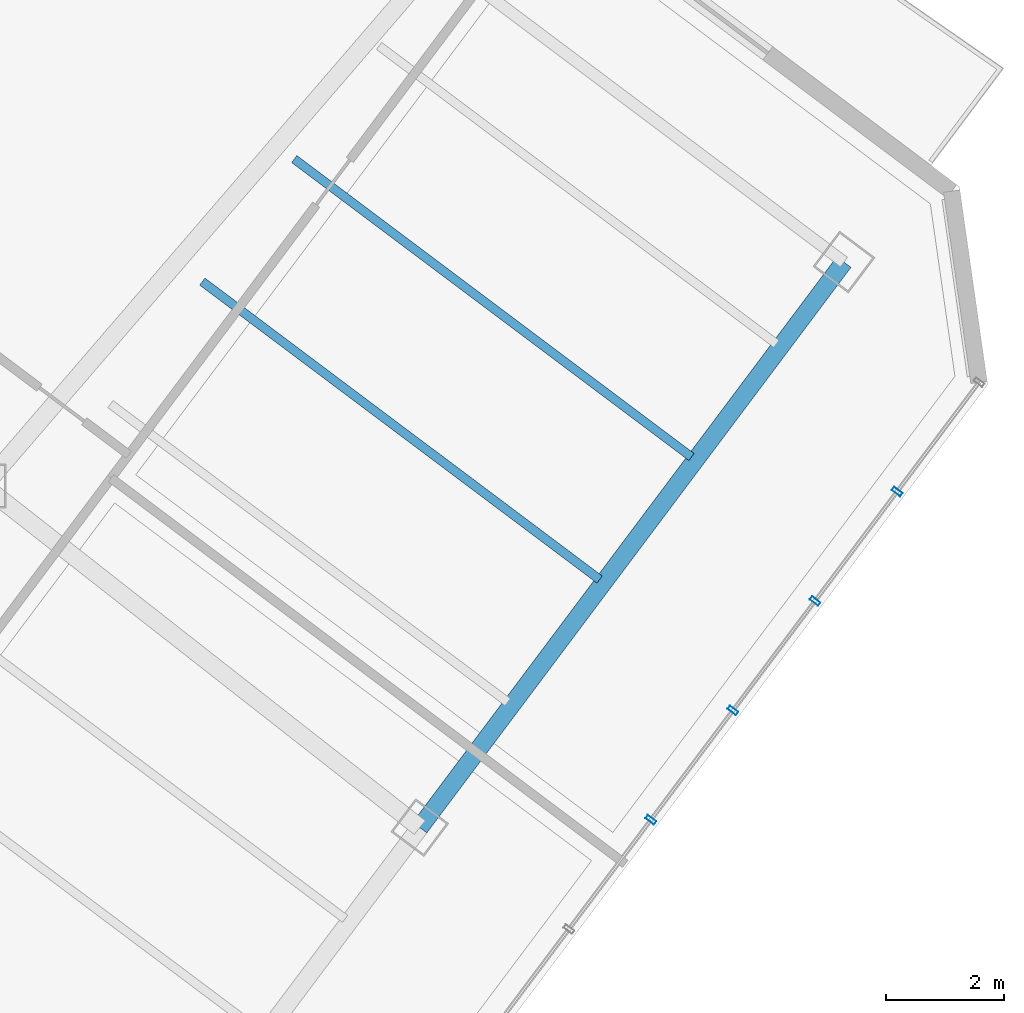
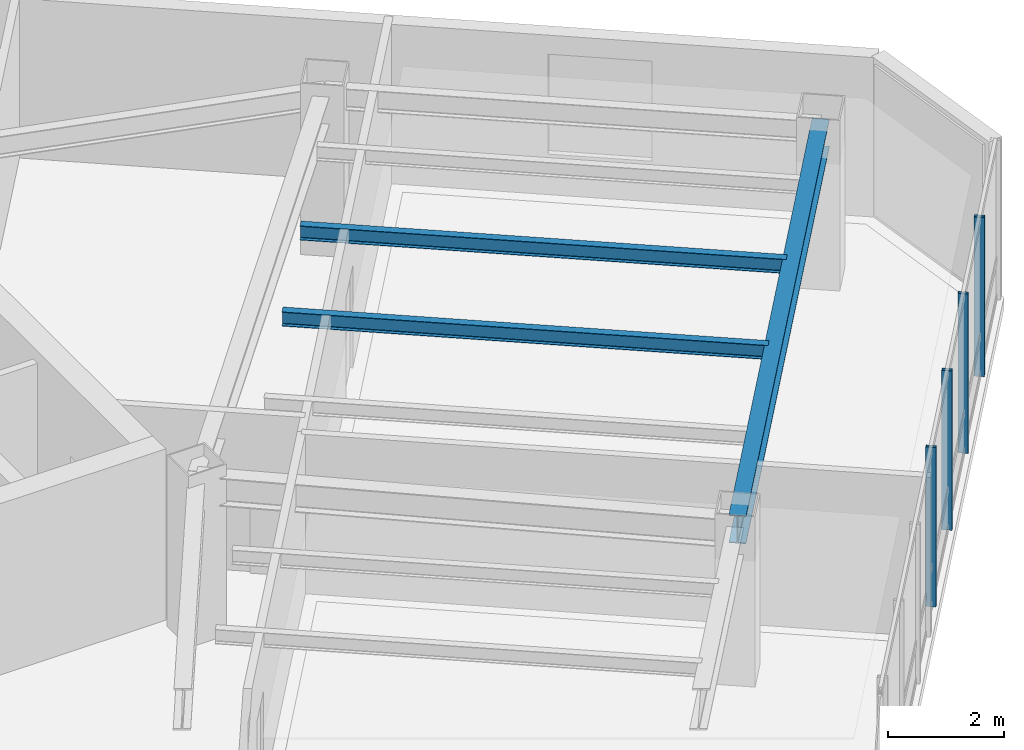
# One storey, part 13 of 24: 4 members, 3 beams, 1 element without a shape of its own.
"""IFC4 building model written with IfcOpenShell, lengths in metres."""

from ifc_helpers import new_model, si_unit, direction, frame, origin, origin_2d, place, context, subcontext, project, spatial, hollow_rectangle, i_section, extrude, material, layer, layer_set, material_profile, profile_set, type_object, element, aggregate, save


model = new_model("IFC4")

# Units and contexts
model_context = context("Model", 3, precision=1e-05, world=origin(), true_north=direction((0.0, 1.0)))
body_context = subcontext(model_context, "Body", "Model", "MODEL_VIEW")
ifc_project = project(units=[si_unit("LENGTHUNIT", "METRE"), si_unit("AREAUNIT", "SQUARE_METRE"), si_unit("VOLUMEUNIT", "CUBIC_METRE"), si_unit("PLANEANGLEUNIT", "RADIAN"), si_unit("MASSUNIT", "GRAM", prefix="KILO")], contexts=[model_context])

# Site, building, storey
site_placement = place(None, origin())
site = spatial("IfcSite", under=ifc_project, at=site_placement, CompositionType="ELEMENT")
building_placement = place(site_placement, origin())
building = spatial("IfcBuilding", under=site, at=building_placement, Name="Hatsunagi Terrace Concourse", CompositionType="ELEMENT")
storey_placement = place(building_placement, frame((0.0, 0.0, 202.35009765625)))
storey = spatial("IfcBuildingStorey", under=building, at=storey_placement, Name="L53", CompositionType="ELEMENT", Elevation=202.35009765625)

# Curtain wall, members
ifc_material_1 = material(Name="Anodised Aluminium Alloy 6063-T5", Category="aluminium")
ifc_layer = layer(ifc_material_1, 0.199951171875)
ifc_layer_set = layer_set([ifc_layer], Name="OfficeZone2_CW04")
curtain_wall_type = type_object("IfcCurtainWallType", Name="OfficeZone2_CW04", PredefinedType="NOTDEFINED", material=ifc_layer_set)
curtain_wall_placement = place(storey_placement, origin())
curtain_wall = element("IfcCurtainWall", 1, at=curtain_wall_placement, inside=storey, type_object=curtain_wall_type, Name="Unitised Curtain Wall CW-04 CW-L53-03", PredefinedType="NOTDEFINED")
ifc_material_2 = material(Name="Anodised Aluminium Alloy 6063-T5", Category="aluminium")
ifc_material_profile_1 = material_profile(ifc_material_2, hollow_rectangle(XDim=0.070068359375, YDim=0.179931640625, WallThickness=0.00390625, at=origin_2d()), Name="ALU-MUL-180x70x4")
ifc_profile_set_1 = profile_set([ifc_material_profile_1], Name="Anodised Aluminium Alloy 6063-T5")
member_type = type_object("IfcMemberType", Name="CurtainWallMullion_180x70", PredefinedType="MULLION", material=ifc_profile_set_1)
member_1_placement = place(storey_placement, frame((59.301025390625, 24.10205078125, 0.0), z_axis=(0.0, 0.0, 1.0), x_axis=(-0.599969314634, -0.800023013105, 0.0)))
member_1 = element("IfcMember", 2, at=member_1_placement, type_object=member_type, Name="Curtain Wall Mullion MUL-02", PredefinedType="MULLION", context=body_context, shape_type="SweptSolid", body=[
    extrude(hollow_rectangle(XDim=0.070068359375, YDim=0.179931640625, WallThickness=0.00390625, at=origin_2d()), origin(), (0.0, 0.0, 1.0), 3.349853515625),
])
member_2_placement = place(storey_placement, frame((57.908935546875, 22.2451171875, 0.0), z_axis=(0.0, 0.0, 1.0), x_axis=(-0.599969314634, -0.800023013105, 0.0)))
member_2 = element("IfcMember", 3, at=member_2_placement, type_object=member_type, Name="Curtain Wall Mullion MUL-02", PredefinedType="MULLION", context=body_context, shape_type="SweptSolid", body=[
    extrude(hollow_rectangle(XDim=0.070068359375, YDim=0.179931640625, WallThickness=0.00390625, at=origin_2d()), origin(), (0.0, 0.0, 1.0), 3.349853515625),
])
member_3_placement = place(storey_placement, frame((56.51611328125, 20.388916015625, 0.0), z_axis=(0.0, 0.0, 1.0), x_axis=(-0.599969314634, -0.800023013105, 0.0)))
member_3 = element("IfcMember", 4, at=member_3_placement, type_object=member_type, Name="Curtain Wall Mullion MUL-02", PredefinedType="MULLION", context=body_context, shape_type="SweptSolid", body=[
    extrude(hollow_rectangle(XDim=0.070068359375, YDim=0.179931640625, WallThickness=0.00390625, at=origin_2d()), origin(), (0.0, 0.0, 1.0), 3.349853515625),
])
member_4_placement = place(storey_placement, frame((55.1240234375, 18.531982421875, 0.0), z_axis=(0.0, 0.0, 1.0), x_axis=(-0.599969314634, -0.800023013105, 0.0)))
member_4 = element("IfcMember", 5, at=member_4_placement, type_object=member_type, Name="Curtain Wall Mullion MUL-02", PredefinedType="MULLION", context=body_context, shape_type="SweptSolid", body=[
    extrude(hollow_rectangle(XDim=0.070068359375, YDim=0.179931640625, WallThickness=0.00390625, at=origin_2d()), origin(), (0.0, 0.0, 1.0), 3.349853515625),
])
aggregate(curtain_wall, [member_1, member_2, member_3, member_4])

# Beams
ifc_material_3 = material(Name="Steel SN490B", Category="steel")
ifc_material_profile_2 = material_profile(ifc_material_3, i_section(OverallWidth=0.300048828125, OverallDepth=0.587890625, WebThickness=0.011962890625, FlangeThickness=0.02001953125, FilletRadius=0.01806640625, at=origin_2d()), Name="H-588x300x12x20")
ifc_profile_set_2 = profile_set([ifc_material_profile_2], Name="Steel SN490B")
beam_type_1 = type_object("IfcBeamType", Name="OfficeHighGirder_H_588x300", PredefinedType="BEAM", material=ifc_profile_set_2)
beam_placement = place(storey_placement, frame((51.199951171875, 18.39990234375, 3.055908203125), z_axis=(0.59999348959, 0.800004882766, 0.0), x_axis=(-0.800004882766, 0.59999348959, 0.0)))
element("IfcBeam", 6, at=beam_placement, inside=storey, type_object=beam_type_1, Name="Beam G-06 BM-L53-SET-2B", PredefinedType="BEAM", context=body_context, shape_type="SweptSolid", body=[
    extrude(i_section(OverallWidth=0.300048828125, OverallDepth=0.587890625, WebThickness=0.011962890625, FlangeThickness=0.02001953125, FilletRadius=0.01806640625, at=origin_2d()), origin(), (0.0, 0.0, 1.0), 12.0),
])
ifc_material_4 = material(Name="Steel SN490B", Category="steel")
ifc_material_profile_3 = material_profile(ifc_material_4, i_section(OverallWidth=0.14990234375, OverallDepth=0.300048828125, WebThickness=0.006591796875, FlangeThickness=0.009033203125, FilletRadius=0.010986328125, at=origin_2d()), Name="H-300x150x6.5x9")
ifc_profile_set_3 = profile_set([ifc_material_profile_3], Name="Steel SN490B")
beam_type_2 = type_object("IfcBeamType", Name="OfficeJoist_H_300x150", PredefinedType="JOIST", material=ifc_profile_set_3)
for number, where, z_axis, x_axis, name in (
    (7, (47.508056640625, 27.6689453125, 3.199951171875), (0.800003475366, -0.59999536615, 0.0), (0.59999536615, 0.800003475366, 0.0), "Beam J-03 J-L53-SE-2-168"),
    (8, (49.068115234375, 29.7490234375, 3.199951171875), (0.799989573921, -0.600013901187, 0.0), (0.600013901187, 0.799989573921, 0.0), "Beam J-03 J-L53-SE-2-194"),
):
    element("IfcBeam", number, at=place(storey_placement, frame(where, z_axis=z_axis, x_axis=x_axis)), inside=storey, type_object=beam_type_2, Name=name, PredefinedType="JOIST", context=body_context, shape_type="SweptSolid", body=[
        extrude(i_section(OverallWidth=0.14990234375, OverallDepth=0.300048828125, WebThickness=0.006591796875, FlangeThickness=0.009033203125, FilletRadius=0.010986328125, at=origin_2d()), origin(), (0.0, 0.0, 1.0), 8.429931640625),
    ])

save(model, "model.ifc")
